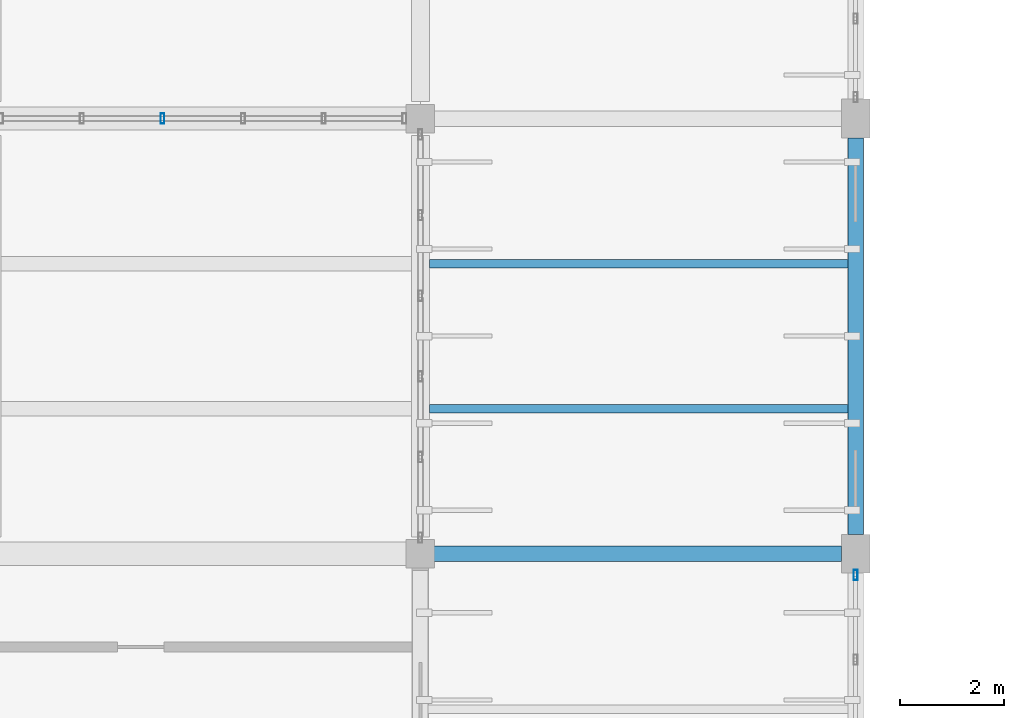
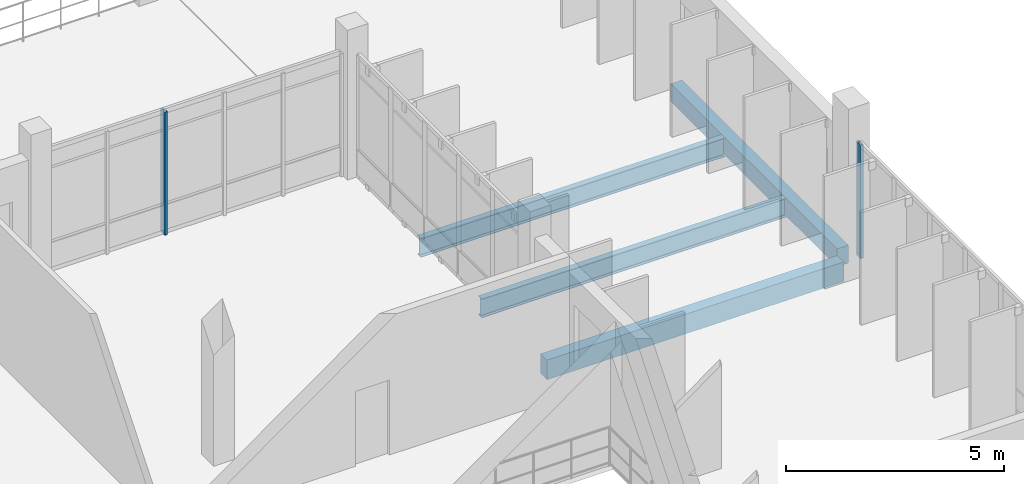
# One storey, part 88 of 130: 4 beams, 2 members, 2 elements without a shape of their own.
"""IFC4 building model written with IfcOpenShell, lengths in metres."""

from ifc_helpers import new_model, si_unit, direction, frame, origin, origin_2d, place, context, subcontext, project, spatial, rectangle, hollow_rectangle, i_section, extrude, material, layer, layer_set, material_profile, profile_set, type_object, element, aggregate, save


model = new_model("IFC4")

# Units and contexts
model_context = context("Model", 3, precision=1e-05, world=origin(), true_north=direction((0.0, 1.0)))
body_context = subcontext(model_context, "Body", "Model", "MODEL_VIEW")
ifc_project = project(units=[si_unit("LENGTHUNIT", "METRE"), si_unit("AREAUNIT", "SQUARE_METRE"), si_unit("VOLUMEUNIT", "CUBIC_METRE"), si_unit("PLANEANGLEUNIT", "RADIAN"), si_unit("MASSUNIT", "GRAM", prefix="KILO")], contexts=[model_context])

# Site, building, storey
site_placement = place(None, origin())
site = spatial("IfcSite", under=ifc_project, at=site_placement, CompositionType="ELEMENT")
building_placement = place(site_placement, origin())
building = spatial("IfcBuilding", under=site, at=building_placement, Name="Vireocrest Preparatory School", CompositionType="ELEMENT")
storey_placement = place(building_placement, frame((0.0, 0.0, 9.0)))
storey = spatial("IfcBuildingStorey", under=building, at=storey_placement, Name="L02", CompositionType="ELEMENT", Elevation=9.0)

# Curtain wall, member
ifc_material_1 = material(Name="Thermally broken aluminium EN AW-6063-T6", Category="aluminium")
ifc_layer_1 = layer(ifc_material_1, 0.179931640625)
ifc_layer_set_1 = layer_set([ifc_layer_1], Name="Thermally broken aluminium EN AW-6063-T6")
curtain_wall_type_1 = type_object("IfcCurtainWallType", Name="Library Reading Bay Glazing 7600x4200", PredefinedType="USERDEFINED", material=ifc_layer_set_1)
curtain_wall_1_placement = place(storey_placement, origin())
curtain_wall_1 = element("IfcCurtainWall", 1, at=curtain_wall_1_placement, inside=storey, type_object=curtain_wall_type_1, Name="Curtain Wall CW16 CW_L02_CW16_1262_0354_090", ObjectType="CURTAIN WALL", PredefinedType="USERDEFINED")
ifc_material_profile_1 = material_profile(ifc_material_1, hollow_rectangle(XDim=0.074951171875, YDim=0.199951171875, WallThickness=0.0048828125, at=origin_2d()), Name="ALU 75x200x5")
ifc_profile_set_1 = profile_set([ifc_material_profile_1], Name="Thermally broken aluminium EN AW-6063-T6")
member_type = type_object("IfcMemberType", Name="CW Mullion 75x200x5", PredefinedType="MULLION", material=ifc_profile_set_1)
member_1_placement = place(storey_placement, frame((129.422119140625, 35.39990234375, 0.0), z_axis=(0.0, 0.0, 1.0), x_axis=(1.0, 0.0, 0.0)))
member_1 = element("IfcMember", 2, at=member_1_placement, type_object=member_type, Name="CW Mullion ML3 CW_L02_CW16_1262_0354_090-3", PredefinedType="MULLION", context=body_context, shape_type="SweptSolid", body=[
    extrude(hollow_rectangle(XDim=0.074951171875, YDim=0.199951171875, WallThickness=0.0048828125, at=origin_2d()), origin(), (0.0, 0.0, 1.0), 3.445068359375),
])
aggregate(curtain_wall_1, [member_1])

ifc_layer_2 = layer(ifc_material_1, 0.179931640625)
ifc_layer_set_2 = layer_set([ifc_layer_2], Name="Thermally broken aluminium EN AW-6063-T6")
curtain_wall_type_2 = type_object("IfcCurtainWallType", Name="Side Facade Curtain Wall 9000x4200", PredefinedType="USERDEFINED", material=ifc_layer_set_2)
curtain_wall_2_placement = place(storey_placement, origin())
curtain_wall_2 = element("IfcCurtainWall", 3, at=curtain_wall_2_placement, inside=storey, type_object=curtain_wall_type_2, Name="Curtain Wall CW07 CW_L02_CW07_1428_0184_090", ObjectType="CURTAIN WALL", PredefinedType="USERDEFINED")
member_2_placement = place(storey_placement, frame((142.800048828125, 26.590087890625, 0.0), z_axis=(0.0, 0.0, 1.0), x_axis=(1.0, 0.0, 0.0)))
member_2 = element("IfcMember", 4, at=member_2_placement, type_object=member_type, Name="CW Mullion ML3 CW_L02_CW07_1428_0184_090-6", PredefinedType="MULLION", context=body_context, shape_type="SweptSolid", body=[
    extrude(hollow_rectangle(XDim=0.074951171875, YDim=0.199951171875, WallThickness=0.0048828125, at=origin_2d()), origin(), (0.0, 0.0, 1.0), 3.19189453125),
])
aggregate(curtain_wall_2, [member_2])

# Beams
ifc_material_2 = material(Name="Structural steel ASTM A992 Grade 50", Category="steel")
ifc_material_profile_2 = material_profile(ifc_material_2, i_section(OverallWidth=0.166015625, OverallDepth=0.529052734375, WebThickness=0.009765625, FlangeThickness=0.013671875, FilletRadius=0.014892578125, at=origin_2d()), Name="W21X50")
ifc_profile_set_2 = profile_set([ifc_material_profile_2], Name="Structural steel ASTM A992 Grade 50")
beam_type_1 = type_object("IfcBeamType", Name="Pavilion Roof Joist W21X50", PredefinedType="JOIST", material=ifc_profile_set_2)
for number, where, z_axis, x_axis, name in (
    (5, (134.574951171875, 29.800048828125, -0.484619140625), (1.0, 0.0, 0.0), (0.0, 1.0, 0.0), "Secondary Joist SJ1 L02-1028"),
    (6, (134.574951171875, 32.60009765625, -0.484619140625), (1.0, 0.0, 0.0), (0.0, 1.0, 0.0), "Secondary Joist SJ1 L02-1029"),
):
    element("IfcBeam", number, at=place(storey_placement, frame(where, z_axis=z_axis, x_axis=x_axis)), inside=storey, type_object=beam_type_1, Name=name, PredefinedType="JOIST", context=body_context, shape_type="SweptSolid", body=[
        extrude(i_section(OverallWidth=0.166015625, OverallDepth=0.529052734375, WebThickness=0.009765625, FlangeThickness=0.013671875, FilletRadius=0.014892578125, at=origin_2d()), origin(), (0.0, 0.0, 1.0), 8.074951171875),
    ])
ifc_material_3 = material(Name="Concrete 40 MPa", Category="concrete")
ifc_material_profile_3 = material_profile(ifc_material_3, rectangle(XDim=0.300048828125, YDim=0.5, at=origin_2d()), Name="RC 300x500")
ifc_profile_set_3 = profile_set([ifc_material_profile_3], Name="Concrete 40 MPa")
beam_type_2 = type_object("IfcBeamType", Name="RC Roof Edge Beam 300x500", PredefinedType="BEAM", material=ifc_profile_set_3)
beam_1_placement = place(storey_placement, frame((142.800048828125, 27.375, -0.469970703125), z_axis=(0.0, 1.0, 0.0), x_axis=(-1.0, 0.0, 0.0)))
element("IfcBeam", 7, at=beam_1_placement, inside=storey, type_object=beam_type_2, Name="Primary Girder B01 L02-0882", PredefinedType="BEAM", context=body_context, shape_type="SweptSolid", body=[
    extrude(rectangle(XDim=0.300048828125, YDim=0.5, at=origin_2d()), origin(), (0.0, 0.0, 1.0), 7.64990234375),
])
ifc_material_profile_4 = material_profile(ifc_material_3, rectangle(XDim=0.300048828125, YDim=0.550048828125, at=origin_2d()), Name="RC 300x550")
ifc_profile_set_4 = profile_set([ifc_material_profile_4], Name="Concrete 40 MPa")
beam_type_3 = type_object("IfcBeamType", Name="RC Roof Girder 300x550", PredefinedType="BEAM", material=ifc_profile_set_4)
beam_2_placement = place(storey_placement, frame((134.64990234375, 27.0, -0.4951171875), z_axis=(1.0, 0.0, 0.0), x_axis=(0.0, 1.0, 0.0)))
element("IfcBeam", 8, at=beam_2_placement, inside=storey, type_object=beam_type_3, Name="Primary Girder B02 L02-0702", PredefinedType="BEAM", context=body_context, shape_type="SweptSolid", body=[
    extrude(rectangle(XDim=0.300048828125, YDim=0.550048828125, at=origin_2d()), origin(), (0.0, 0.0, 1.0), 7.875),
])

save(model, "model.ifc")
